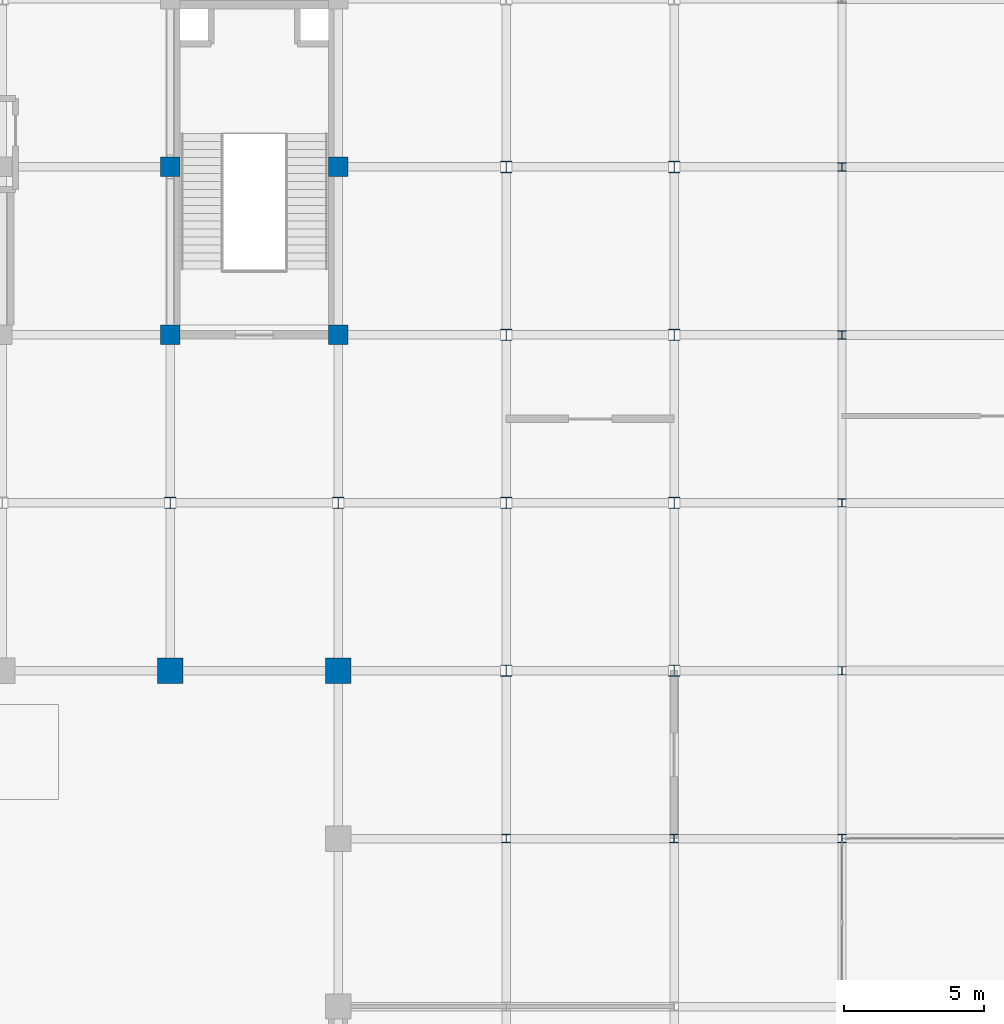
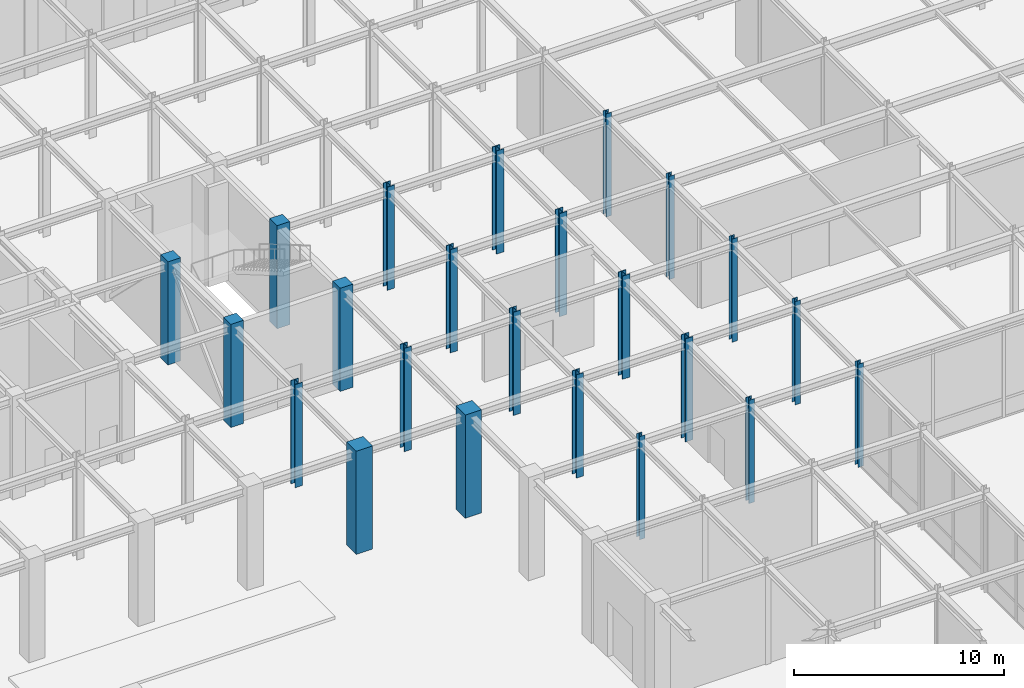
# One storey, part 18 of 108: 23 columns.
"""IFC4 building model written with IfcOpenShell, lengths in metres."""

from ifc_helpers import new_model, si_unit, direction, frame, origin, origin_2d, place, context, subcontext, project, spatial, rectangle, i_section, extrude, material, material_profile, profile_set, type_object, element, save


model = new_model("IFC4")

# Units and contexts
model_context = context("Model", 3, precision=1e-05, world=origin(), true_north=direction((0.0, 1.0)))
body_context = subcontext(model_context, "Body", "Model", "MODEL_VIEW")
ifc_project = project(units=[si_unit("LENGTHUNIT", "METRE"), si_unit("AREAUNIT", "SQUARE_METRE"), si_unit("VOLUMEUNIT", "CUBIC_METRE"), si_unit("PLANEANGLEUNIT", "RADIAN"), si_unit("MASSUNIT", "GRAM", prefix="KILO")], contexts=[model_context])

# Site, building, storey
site_placement = place(None, origin())
site = spatial("IfcSite", under=ifc_project, at=site_placement, CompositionType="ELEMENT")
building_placement = place(site_placement, origin())
building = spatial("IfcBuilding", under=site, at=building_placement, Name="Zlatovratsky Civic Hall", CompositionType="ELEMENT")
storey_placement = place(building_placement, frame((0.0, 0.0, 6.0)))
storey = spatial("IfcBuildingStorey", under=building, at=storey_placement, Name="L02", CompositionType="ELEMENT", Elevation=6.0)

# Columns
ifc_material_1 = material(Name="Concrete C35/45 (B40)", Category="concrete")
ifc_material_profile_1 = material_profile(ifc_material_1, rectangle(XDim=0.89990234375, YDim=0.89990234375, at=origin_2d()), Name="RC 900x900")
ifc_profile_set_1 = profile_set([ifc_material_profile_1], Name="Concrete C35/45 (B40)")
column_type_1 = type_object("IfcColumnType", Name="Col_ChamberPier_RC900", PredefinedType="COLUMN", material=ifc_profile_set_1)
for number, where, z_axis, x_axis, name in (
    (1, (96.0, 72.0, 0.0), (0.0, 0.0, 1.0), (1.0, 0.0, 0.0), "CL-1018"),
    (2, (102.0, 72.0, 0.0), (0.0, 0.0, 1.0), (1.0, 0.0, 0.0), "CL-1019"),
):
    element("IfcColumn", number, at=place(storey_placement, frame(where, z_axis=z_axis, x_axis=x_axis)), inside=storey, type_object=column_type_1, Name=name, PredefinedType="COLUMN", context=body_context, shape_type="SweptSolid", body=[
        extrude(rectangle(XDim=0.89990234375, YDim=0.89990234375, at=origin_2d()), origin(), (0.0, 0.0, 1.0), 6.0),
    ])
ifc_material_profile_2 = material_profile(ifc_material_1, rectangle(XDim=0.699951171875, YDim=0.699951171875, at=origin_2d()), Name="RC 700x700")
ifc_profile_set_2 = profile_set([ifc_material_profile_2], Name="Concrete C35/45 (B40)")
column_type_2 = type_object("IfcColumnType", Name="Col_CorePier_RC700", PredefinedType="COLUMN", material=ifc_profile_set_2)
for number, where, z_axis, x_axis, name in (
    (3, (96.0, 84.0, 0.0), (0.0, 0.0, 1.0), (1.0, 0.0, 0.0), "CL-1064"),
    (4, (102.0, 84.0, 0.0), (0.0, 0.0, 1.0), (1.0, 0.0, 0.0), "CL-1065"),
    (5, (96.0, 90.0, 0.0), (0.0, 0.0, 1.0), (1.0, 0.0, 0.0), "CL-1087"),
    (6, (102.0, 90.0, 0.0), (0.0, 0.0, 1.0), (1.0, 0.0, 0.0), "CL-1088"),
):
    element("IfcColumn", number, at=place(storey_placement, frame(where, z_axis=z_axis, x_axis=x_axis)), inside=storey, type_object=column_type_2, Name=name, PredefinedType="COLUMN", context=body_context, shape_type="SweptSolid", body=[
        extrude(rectangle(XDim=0.699951171875, YDim=0.699951171875, at=origin_2d()), origin(), (0.0, 0.0, 1.0), 6.0),
    ])
ifc_material_2 = material(Name="Steel S355", Category="steel")
ifc_material_profile_3 = material_profile(ifc_material_2, i_section(OverallWidth=0.300048828125, OverallDepth=0.300048828125, WebThickness=0.010009765625, FlangeThickness=0.014892578125, FilletRadius=0.01806640625, at=origin_2d()), Name="30K2")
ifc_profile_set_3 = profile_set([ifc_material_profile_3], Name="Steel S355")
column_type_3 = type_object("IfcColumnType", Name="Col_Steel_30K2", PredefinedType="COLUMN", material=ifc_profile_set_3)
for number, where, z_axis, x_axis, name in (
    (7, (108.0, 66.0, 0.0), (0.0, 0.0, 1.0), (1.0, 0.0, 0.0), "CL-0997"),
    (8, (114.0, 66.0, 0.0), (0.0, 0.0, 1.0), (1.0, 0.0, 0.0), "CL-0998"),
    (9, (120.0, 66.0, 0.0), (0.0, 0.0, 1.0), (1.0, 0.0, 0.0), "CL-0999"),
    (10, (120.0, 72.0, 0.0), (0.0, 0.0, 1.0), (1.0, 0.0, 0.0), "CL-1022"),
    (11, (120.0, 78.0, 0.0), (0.0, 0.0, 1.0), (1.0, 0.0, 0.0), "CL-1045"),
    (12, (120.0, 84.0, 0.0), (0.0, 0.0, 1.0), (1.0, 0.0, 0.0), "CL-1068"),
    (13, (120.0, 90.0, 0.0), (0.0, 0.0, 1.0), (1.0, 0.0, 0.0), "CL-1091"),
):
    element("IfcColumn", number, at=place(storey_placement, frame(where, z_axis=z_axis, x_axis=x_axis)), inside=storey, type_object=column_type_3, Name=name, PredefinedType="COLUMN", context=body_context, shape_type="SweptSolid", body=[
        extrude(i_section(OverallWidth=0.300048828125, OverallDepth=0.300048828125, WebThickness=0.010009765625, FlangeThickness=0.014892578125, FilletRadius=0.01806640625, at=origin_2d()), origin(), (0.0, 0.0, 1.0), 6.0),
    ])
ifc_material_profile_4 = material_profile(ifc_material_2, i_section(OverallWidth=0.405029296875, OverallDepth=0.41796875, WebThickness=0.02001953125, FlangeThickness=0.030029296875, FilletRadius=0.02197265625, at=origin_2d()), Name="40K4")
ifc_profile_set_4 = profile_set([ifc_material_profile_4], Name="Steel S355")
column_type_4 = type_object("IfcColumnType", Name="Col_Steel_40K4", PredefinedType="COLUMN", material=ifc_profile_set_4)
for number, where, z_axis, x_axis, name in (
    (14, (108.0, 72.0, 0.0), (0.0, 0.0, 1.0), (1.0, 0.0, 0.0), "CL-1020"),
    (15, (114.0, 72.0, 0.0), (0.0, 0.0, 1.0), (1.0, 0.0, 0.0), "CL-1021"),
    (16, (96.0, 78.0, 0.0), (0.0, 0.0, 1.0), (1.0, 0.0, 0.0), "CL-1041"),
    (17, (102.0, 78.0, 0.0), (0.0, 0.0, 1.0), (1.0, 0.0, 0.0), "CL-1042"),
    (18, (108.0, 78.0, 0.0), (0.0, 0.0, 1.0), (1.0, 0.0, 0.0), "CL-1043"),
    (19, (114.0, 78.0, 0.0), (0.0, 0.0, 1.0), (1.0, 0.0, 0.0), "CL-1044"),
    (20, (108.0, 84.0, 0.0), (0.0, 0.0, 1.0), (1.0, 0.0, 0.0), "CL-1066"),
    (21, (114.0, 84.0, 0.0), (0.0, 0.0, 1.0), (1.0, 0.0, 0.0), "CL-1067"),
    (22, (108.0, 90.0, 0.0), (0.0, 0.0, 1.0), (1.0, 0.0, 0.0), "CL-1089"),
    (23, (114.0, 90.0, 0.0), (0.0, 0.0, 1.0), (1.0, 0.0, 0.0), "CL-1090"),
):
    element("IfcColumn", number, at=place(storey_placement, frame(where, z_axis=z_axis, x_axis=x_axis)), inside=storey, type_object=column_type_4, Name=name, PredefinedType="COLUMN", context=body_context, shape_type="SweptSolid", body=[
        extrude(i_section(OverallWidth=0.405029296875, OverallDepth=0.41796875, WebThickness=0.02001953125, FlangeThickness=0.030029296875, FilletRadius=0.02197265625, at=origin_2d()), origin(), (0.0, 0.0, 1.0), 6.0),
    ])

save(model, "model.ifc")
